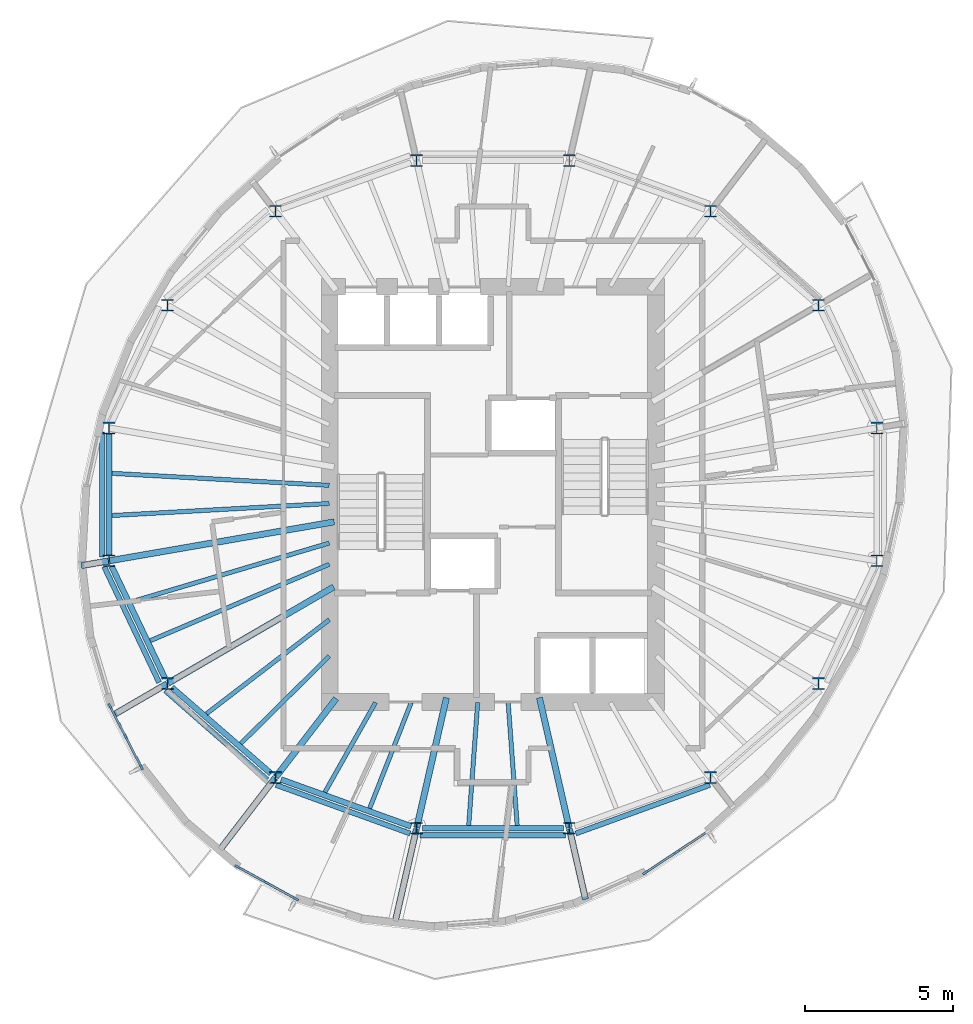
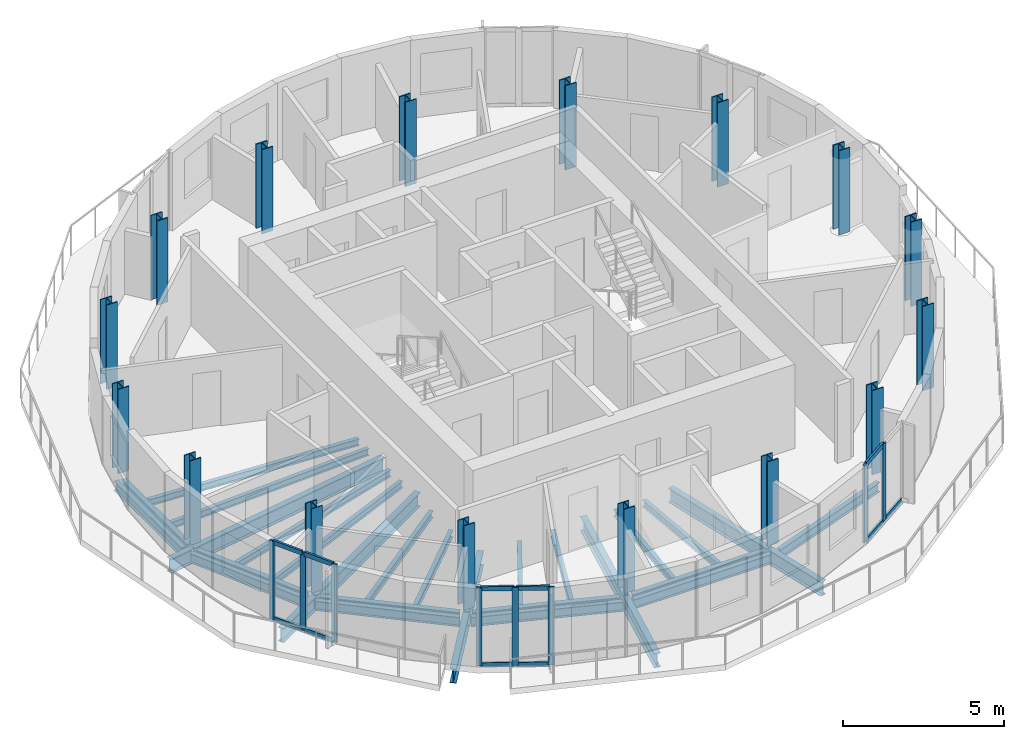
# One storey, part 1 of 11: 31 beams, 19 members, 16 columns, 3 elements without a shape of their own.
"""IFC4 building model written with IfcOpenShell, lengths in metres."""

from ifc_helpers import new_model, si_unit, direction, frame, origin, origin_2d, place, context, subcontext, project, spatial, rectangle, i_section, extrude, material, material_profile, profile_set, type_object, element, aggregate, save


model = new_model("IFC4")

# Units and contexts
model_context = context("Model", 3, precision=1e-05, world=origin(), true_north=direction((0.0, 1.0)))
body_context = subcontext(model_context, "Body", "Model", "MODEL_VIEW")
ifc_project = project(units=[si_unit("LENGTHUNIT", "METRE"), si_unit("AREAUNIT", "SQUARE_METRE"), si_unit("VOLUMEUNIT", "CUBIC_METRE"), si_unit("PLANEANGLEUNIT", "RADIAN"), si_unit("MASSUNIT", "GRAM", prefix="KILO")], contexts=[model_context])

# Site, building, storey
site_placement = place(None, origin())
site = spatial("IfcSite", under=ifc_project, at=site_placement, CompositionType="ELEMENT")
building_placement = place(site_placement, origin())
building = spatial("IfcBuilding", under=site, at=building_placement, Name="Veldorim Arch Residences", CompositionType="ELEMENT")
storey_placement = place(building_placement, frame((0.0, 0.0, 227.0400390625)))
storey = spatial("IfcBuildingStorey", under=building, at=storey_placement, Name="L68", CompositionType="ELEMENT", Elevation=227.0400390625)

# Columns
ifc_material_1 = material(Name="Steel S460", Category="steel")
ifc_material_profile_1 = material_profile(ifc_material_1, i_section(OverallWidth=0.39892578125, OverallDepth=0.3935546875, WebThickness=0.022705078125, FlangeThickness=0.03662109375, at=origin_2d()), Name="UC356x406x287")
ifc_profile_set_1 = profile_set([ifc_material_profile_1], Name="Steel S460")
column_type = type_object("IfcColumnType", Name="Structural Column UC356x406x287", PredefinedType="COLUMN", material=ifc_profile_set_1)
for number, where, z_axis, x_axis, name in (
    (1, (44.9462890625, 26.239501953125, 0.0), (0.0, 0.0, 1.0), (1.0, 0.0, 0.0), "L68 TC-Z4-01 perimeter column"),
    (2, (42.975341796875, 30.3779296875, 0.0), (0.0, 0.0, 1.0), (1.0, 0.0, 0.0), "L68 TC-Z4-02 perimeter column"),
    (3, (39.33349609375, 33.54541015625, 0.0), (0.0, 0.0, 1.0), (1.0, 0.0, 0.0), "L68 TC-Z4-03 perimeter column"),
    (4, (34.5751953125, 35.259521484375, 0.0), (0.0, 0.0, 1.0), (1.0, 0.0, 0.0), "L68 TC-Z4-04 perimeter column"),
    (5, (29.4248046875, 35.259521484375, 0.0), (0.0, 0.0, 1.0), (1.0, 0.0, 0.0), "L68 TC-Z4-05 perimeter column"),
    (6, (24.66650390625, 33.54541015625, 0.0), (0.0, 0.0, 1.0), (1.0, 0.0, 0.0), "L68 TC-Z4-06 perimeter column"),
    (7, (21.024658203125, 30.3779296875, 0.0), (0.0, 0.0, 1.0), (1.0, 0.0, 0.0), "L68 TC-Z4-07 perimeter column"),
    (8, (19.0537109375, 26.239501953125, 0.0), (0.0, 0.0, 1.0), (1.0, 0.0, 0.0), "L68 TC-Z4-08 perimeter column"),
    (9, (19.0537109375, 21.760498046875, 0.0), (0.0, 0.0, 1.0), (1.0, 0.0, 0.0), "L68 TC-Z4-09 perimeter column"),
    (10, (21.024658203125, 17.6220703125, 0.0), (0.0, 0.0, 1.0), (1.0, 0.0, 0.0), "L68 TC-Z4-10 perimeter column"),
    (11, (24.66650390625, 14.45458984375, 0.0), (0.0, 0.0, 1.0), (1.0, 0.0, 0.0), "L68 TC-Z4-11 perimeter column"),
    (12, (29.4248046875, 12.740478515625, 0.0), (0.0, 0.0, 1.0), (1.0, 0.0, 0.0), "L68 TC-Z4-12 perimeter column"),
    (13, (34.5751953125, 12.740478515625, 0.0), (0.0, 0.0, 1.0), (1.0, 0.0, 0.0), "L68 TC-Z4-13 perimeter column"),
    (14, (39.33349609375, 14.45458984375, 0.0), (0.0, 0.0, 1.0), (1.0, 0.0, 0.0), "L68 TC-Z4-14 perimeter column"),
    (15, (42.975341796875, 17.6220703125, 0.0), (0.0, 0.0, 1.0), (1.0, 0.0, 0.0), "L68 TC-Z4-15 perimeter column"),
    (16, (44.9462890625, 21.760498046875, 0.0), (0.0, 0.0, 1.0), (1.0, 0.0, 0.0), "L68 TC-Z4-16 perimeter column"),
):
    element("IfcColumn", number, at=place(storey_placement, frame(where, z_axis=z_axis, x_axis=x_axis)), inside=storey, type_object=column_type, Name=name, PredefinedType="COLUMN", context=body_context, shape_type="SweptSolid", body=[
        extrude(i_section(OverallWidth=0.39892578125, OverallDepth=0.3935546875, WebThickness=0.022705078125, FlangeThickness=0.03662109375, at=origin_2d()), origin(), (0.0, 0.0, 1.0), 3.199951171875),
    ])

# Beams
ifc_material_2 = material(Name="Steel S355", Category="steel")
ifc_material_profile_2 = material_profile(ifc_material_2, i_section(OverallWidth=0.2119140625, OverallDepth=0.54443359375, WebThickness=0.0126953125, FlangeThickness=0.021240234375, at=origin_2d()), Name="UB533x210x122")
ifc_profile_set_2 = profile_set([ifc_material_profile_2], Name="Steel S355")
beam_type_1 = type_object("IfcBeamType", Name="Structural Steel Beam UB533x210x122", PredefinedType="BEAM", material=ifc_profile_set_2)
beam_1_placement = place(storey_placement, frame((26.647705078125, 23.07421875, -0.512451171875), z_axis=(-0.985364974081, -0.170457818401, 0.0), x_axis=(0.170457818401, -0.985364974081, 0.0)))
element("IfcBeam", 17, at=beam_1_placement, inside=storey, type_object=beam_type_1, Name="L68 radial floor girder 09", PredefinedType="BEAM", context=body_context, shape_type="SweptSolid", body=[
    extrude(i_section(OverallWidth=0.2119140625, OverallDepth=0.54443359375, WebThickness=0.0126953125, FlangeThickness=0.021240234375, at=origin_2d()), origin(), (0.0, 0.0, 1.0), 7.68701171875),
])
beam_2_placement = place(storey_placement, frame((19.033935546875, 21.757080078125, -0.512451171875), z_axis=(-0.985342848414, -0.170585670791, 0.0), x_axis=(0.170585670791, -0.985342848414, 0.0)))
element("IfcBeam", 18, at=beam_2_placement, inside=storey, type_object=beam_type_1, Name="L68 radial edge cantilever girder 09", PredefinedType="BEAM", context=body_context, shape_type="SweptSolid", body=[
    extrude(i_section(OverallWidth=0.2119140625, OverallDepth=0.54443359375, WebThickness=0.0126953125, FlangeThickness=0.021240234375, at=origin_2d()), origin(), (0.0, 0.0, 1.0), 0.927490234375),
])
beam_3_placement = place(storey_placement, frame((26.629638671875, 20.87939453125, -0.512451171875), z_axis=(-0.864595736304, -0.502468121142, 0.0), x_axis=(0.502468121142, -0.864595736304, 0.0)))
element("IfcBeam", 19, at=beam_3_placement, inside=storey, type_object=beam_type_1, Name="L68 radial floor girder 10", PredefinedType="BEAM", context=body_context, shape_type="SweptSolid", body=[
    extrude(i_section(OverallWidth=0.2119140625, OverallDepth=0.54443359375, WebThickness=0.0126953125, FlangeThickness=0.021240234375, at=origin_2d()), origin(), (0.0, 0.0, 1.0), 6.462646484375),
])
beam_4_placement = place(storey_placement, frame((21.00732421875, 17.612060546875, -0.512451171875), z_axis=(-0.864613318974, -0.502437865465, 0.0), x_axis=(0.502437865465, -0.864613318974, 0.0)))
element("IfcBeam", 20, at=beam_4_placement, inside=storey, type_object=beam_type_1, Name="L68 radial edge cantilever girder 10", PredefinedType="BEAM", context=body_context, shape_type="SweptSolid", body=[
    extrude(i_section(OverallWidth=0.2119140625, OverallDepth=0.54443359375, WebThickness=0.0126953125, FlangeThickness=0.021240234375, at=origin_2d()), origin(), (0.0, 0.0, 1.0), 2.045166015625),
])
beam_5_placement = place(storey_placement, frame((26.71337890625, 17.118896484375, -0.512451171875), z_axis=(-0.609258442308, -0.792971721108, 0.0), x_axis=(0.792971721108, -0.609258442308, 0.0)))
element("IfcBeam", 21, at=beam_5_placement, inside=storey, type_object=beam_type_1, Name="L68 radial floor girder 11", PredefinedType="BEAM", context=body_context, shape_type="SweptSolid", body=[
    extrude(i_section(OverallWidth=0.2119140625, OverallDepth=0.54443359375, WebThickness=0.0126953125, FlangeThickness=0.021240234375, at=origin_2d()), origin(), (0.0, 0.0, 1.0), 3.339599609375),
])
beam_6_placement = place(storey_placement, frame((24.654296875, 14.438720703125, -0.512451171875), z_axis=(-0.609235463965, -0.792989375369, 0.0), x_axis=(0.792989375369, -0.609235463965, 0.0)))
element("IfcBeam", 22, at=beam_6_placement, inside=storey, type_object=beam_type_1, Name="L68 radial edge cantilever girder 11", PredefinedType="BEAM", context=body_context, shape_type="SweptSolid", body=[
    extrude(i_section(OverallWidth=0.2119140625, OverallDepth=0.54443359375, WebThickness=0.0126953125, FlangeThickness=0.021240234375, at=origin_2d()), origin(), (0.0, 0.0, 1.0), 3.103759765625),
])
beam_7_placement = place(storey_placement, frame((30.432373046875, 17.146240234375, -0.512451171875), z_axis=(-0.222952976993, -0.97482920045, 0.0), x_axis=(0.97482920045, -0.222952976993, 0.0)))
element("IfcBeam", 23, at=beam_7_placement, inside=storey, type_object=beam_type_1, Name="L68 radial floor girder 12", PredefinedType="BEAM", context=body_context, shape_type="SweptSolid", body=[
    extrude(i_section(OverallWidth=0.2119140625, OverallDepth=0.54443359375, WebThickness=0.0126953125, FlangeThickness=0.021240234375, at=origin_2d()), origin(), (0.0, 0.0, 1.0), 4.49951171875),
])
beam_8_placement = place(storey_placement, frame((29.42041015625, 12.72119140625, -0.512451171875), z_axis=(-0.223019615736, -0.97481395712, 0.0), x_axis=(0.97481395712, -0.223019615736, 0.0)))
element("IfcBeam", 24, at=beam_8_placement, inside=storey, type_object=beam_type_1, Name="L68 radial edge cantilever girder 12", PredefinedType="BEAM", context=body_context, shape_type="SweptSolid", body=[
    extrude(i_section(OverallWidth=0.2119140625, OverallDepth=0.54443359375, WebThickness=0.0126953125, FlangeThickness=0.021240234375, at=origin_2d()), origin(), (0.0, 0.0, 1.0), 3.2666015625),
])
beam_9_placement = place(storey_placement, frame((33.567626953125, 17.146240234375, -0.512451171875), z_axis=(0.222952976993, -0.97482920045, 0.0), x_axis=(0.97482920045, 0.222952976993, 0.0)))
element("IfcBeam", 25, at=beam_9_placement, inside=storey, type_object=beam_type_1, Name="L68 radial floor girder 13", PredefinedType="BEAM", context=body_context, shape_type="SweptSolid", body=[
    extrude(i_section(OverallWidth=0.2119140625, OverallDepth=0.54443359375, WebThickness=0.0126953125, FlangeThickness=0.021240234375, at=origin_2d()), origin(), (0.0, 0.0, 1.0), 4.49951171875),
])
beam_10_placement = place(storey_placement, frame((34.57958984375, 12.72119140625, -0.512451171875), z_axis=(0.222985349642, -0.974821795943, 0.0), x_axis=(0.974821795943, 0.222985349642, 0.0)))
element("IfcBeam", 26, at=beam_10_placement, inside=storey, type_object=beam_type_1, Name="L68 radial edge cantilever girder 13", PredefinedType="BEAM", context=body_context, shape_type="SweptSolid", body=[
    extrude(i_section(OverallWidth=0.2119140625, OverallDepth=0.54443359375, WebThickness=0.0126953125, FlangeThickness=0.021240234375, at=origin_2d()), origin(), (0.0, 0.0, 1.0), 2.43603515625),
])
ifc_material_3 = material(Name="Steel S355", Category="steel")
ifc_material_profile_3 = material_profile(ifc_material_3, i_section(OverallWidth=0.146484375, OverallDepth=0.256103515625, WebThickness=0.00634765625, FlangeThickness=0.010986328125, at=origin_2d()), Name="UB254x146x37")
ifc_profile_set_3 = profile_set([ifc_material_profile_3], Name="Steel S355")
beam_type_2 = type_object("IfcBeamType", Name="Structural Steel Joist UB254x146x37", PredefinedType="JOIST", material=ifc_profile_set_3)
for number, where, z_axis, x_axis, name in (
    (27, (26.47998046875, 24.3056640625, -0.367919921875), (-0.998472000884, 0.055259962464, 0.0), (-0.055259962464, -0.998472000884, 0.0), "L68 secondary radial floor joist 08-1"),
    (28, (26.47998046875, 23.6943359375, -0.367919921875), (-0.998472000884, -0.055259962464, 0.0), (0.055259962464, -0.998472000884, 0.0), "L68 secondary radial floor joist 08-2"),
):
    element("IfcBeam", number, at=place(storey_placement, frame(where, z_axis=z_axis, x_axis=x_axis)), inside=storey, type_object=beam_type_2, Name=name, PredefinedType="JOIST", context=body_context, shape_type="SweptSolid", body=[
        extrude(i_section(OverallWidth=0.146484375, OverallDepth=0.256103515625, WebThickness=0.00634765625, FlangeThickness=0.010986328125, at=origin_2d()), origin(), (0.0, 0.0, 1.0), 7.33837890625),
    ])
beam_11_placement = place(storey_placement, frame((26.480712890625, 22.360595703125, -0.367919921875), z_axis=(-0.958594432792, -0.284774846889, 0.0), x_axis=(0.284774846889, -0.958594432792, 0.0)))
element("IfcBeam", 29, at=beam_11_placement, inside=storey, type_object=beam_type_2, Name="L68 secondary radial floor joist 09-1", PredefinedType="JOIST", context=body_context, shape_type="SweptSolid", body=[
    extrude(i_section(OverallWidth=0.146484375, OverallDepth=0.256103515625, WebThickness=0.00634765625, FlangeThickness=0.010986328125, at=origin_2d()), origin(), (0.0, 0.0, 1.0), 6.949462890625),
])
beam_12_placement = place(storey_placement, frame((26.481689453125, 21.644287109375, -0.367919921875), z_axis=(-0.919725161652, -0.392562895629, 0.0), x_axis=(0.392562895629, -0.919725161652, 0.0)))
element("IfcBeam", 30, at=beam_12_placement, inside=storey, type_object=beam_type_2, Name="L68 secondary radial floor joist 09-2", PredefinedType="JOIST", context=body_context, shape_type="SweptSolid", body=[
    extrude(i_section(OverallWidth=0.146484375, OverallDepth=0.256103515625, WebThickness=0.00634765625, FlangeThickness=0.010986328125, at=origin_2d()), origin(), (0.0, 0.0, 1.0), 6.5625),
])
beam_13_placement = place(storey_placement, frame((26.484130859375, 19.777099609375, -0.367919921875), z_axis=(-0.794013672216, -0.607899899929, 0.0), x_axis=(0.607899899929, -0.794013672216, 0.0)))
element("IfcBeam", 31, at=beam_13_placement, inside=storey, type_object=beam_type_2, Name="L68 secondary radial floor joist 10-1", PredefinedType="JOIST", context=body_context, shape_type="SweptSolid", body=[
    extrude(i_section(OverallWidth=0.146484375, OverallDepth=0.256103515625, WebThickness=0.00634765625, FlangeThickness=0.010986328125, at=origin_2d()), origin(), (0.0, 0.0, 1.0), 5.217041015625),
])
beam_14_placement = place(storey_placement, frame((26.48583984375, 18.55224609375, -0.367919921875), z_axis=(-0.711396725432, -0.702790650937, 0.0), x_axis=(0.702790650937, -0.711396725432, 0.0)))
element("IfcBeam", 32, at=beam_14_placement, inside=storey, type_object=beam_type_2, Name="L68 secondary radial floor joist 10-2", PredefinedType="JOIST", context=body_context, shape_type="SweptSolid", body=[
    extrude(i_section(OverallWidth=0.146484375, OverallDepth=0.256103515625, WebThickness=0.00634765625, FlangeThickness=0.010986328125, at=origin_2d()), origin(), (0.0, 0.0, 1.0), 4.198486328125),
])
beam_15_placement = place(storey_placement, frame((28.039794921875, 16.982666015625, -0.367919921875), z_axis=(-0.491452469585, -0.870904397818, 0.0), x_axis=(0.870904397818, -0.491452469585, 0.0)))
element("IfcBeam", 33, at=beam_15_placement, inside=storey, type_object=beam_type_2, Name="L68 secondary radial floor joist 11-1", PredefinedType="JOIST", context=body_context, shape_type="SweptSolid", body=[
    extrude(i_section(OverallWidth=0.146484375, OverallDepth=0.256103515625, WebThickness=0.00634765625, FlangeThickness=0.010986328125, at=origin_2d()), origin(), (0.0, 0.0, 1.0), 3.472412109375),
])
beam_16_placement = place(storey_placement, frame((29.24365234375, 16.9814453125, -0.367919921875), z_axis=(-0.365581383042, -0.930779379001, 0.0), x_axis=(0.930779379001, -0.365581383042, 0.0)))
element("IfcBeam", 34, at=beam_16_placement, inside=storey, type_object=beam_type_2, Name="L68 secondary radial floor joist 11-2", PredefinedType="JOIST", context=body_context, shape_type="SweptSolid", body=[
    extrude(i_section(OverallWidth=0.146484375, OverallDepth=0.256103515625, WebThickness=0.00634765625, FlangeThickness=0.010986328125, at=origin_2d()), origin(), (0.0, 0.0, 1.0), 3.83056640625),
])
for number, where, z_axis, x_axis, name in (
    (35, (31.486083984375, 16.97998046875, -0.367919921875), (-0.072985625899, -0.997332992742, 0.0), (0.997332992742, -0.072985625899, 0.0), "L68 secondary radial floor joist 12-1"),
    (36, (32.513916015625, 16.97998046875, -0.367919921875), (0.072985625899, -0.997332992742, 0.0), (0.997332992742, 0.072985625899, 0.0), "L68 secondary radial floor joist 12-2"),
):
    element("IfcBeam", number, at=place(storey_placement, frame(where, z_axis=z_axis, x_axis=x_axis)), inside=storey, type_object=beam_type_2, Name=name, PredefinedType="JOIST", context=body_context, shape_type="SweptSolid", body=[
        extrude(i_section(OverallWidth=0.146484375, OverallDepth=0.256103515625, WebThickness=0.00634765625, FlangeThickness=0.010986328125, at=origin_2d()), origin(), (0.0, 0.0, 1.0), 4.151123046875),
    ])
ifc_material_4 = material(Name="Steel S355", Category="steel")
ifc_material_profile_4 = material_profile(ifc_material_4, i_section(OverallWidth=0.172119140625, OverallDepth=0.35791015625, WebThickness=0.008056640625, FlangeThickness=0.012939453125, at=origin_2d()), Name="UB356x171x57")
ifc_profile_set_4 = profile_set([ifc_material_profile_4], Name="Steel S355")
beam_type_3 = type_object("IfcBeamType", Name="Structural Steel Spandrel UB356x171x57", PredefinedType="SPANDREL", material=ifc_profile_set_4)
beam_17_placement = place(storey_placement, frame((18.817138671875, 26.10498046875, -0.43896484375), z_axis=(0.0, -1.0, 0.0), x_axis=(1.0, 0.0, 0.0)))
element("IfcBeam", 37, at=beam_17_placement, inside=storey, type_object=beam_type_3, Name="L68 perimeter chord spandrel beam 08", PredefinedType="SPANDREL", context=body_context, shape_type="SweptSolid", body=[
    extrude(i_section(OverallWidth=0.172119140625, OverallDepth=0.35791015625, WebThickness=0.008056640625, FlangeThickness=0.012939453125, at=origin_2d()), origin(), (0.0, 0.0, 1.0), 4.2099609375),
])
beam_18_placement = place(storey_placement, frame((18.892333984375, 21.560791015625, -0.43896484375), z_axis=(0.428453398876, -0.903563879862, 0.0), x_axis=(0.903563879862, 0.428453398876, 0.0)))
element("IfcBeam", 38, at=beam_18_placement, inside=storey, type_object=beam_type_3, Name="L68 perimeter chord spandrel beam 09", PredefinedType="SPANDREL", context=body_context, shape_type="SweptSolid", body=[
    extrude(i_section(OverallWidth=0.172119140625, OverallDepth=0.35791015625, WebThickness=0.008056640625, FlangeThickness=0.012939453125, at=origin_2d()), origin(), (0.0, 0.0, 1.0), 4.31689453125),
])
beam_19_placement = place(storey_placement, frame((20.94921875, 17.385986328125, -0.43896484375), z_axis=(0.752901089301, -0.658133686821, 0.0), x_axis=(0.658133686821, 0.752901089301, 0.0)))
element("IfcBeam", 39, at=beam_19_placement, inside=storey, type_object=beam_type_3, Name="L68 perimeter chord spandrel beam 10", PredefinedType="SPANDREL", context=body_context, shape_type="SweptSolid", body=[
    extrude(i_section(OverallWidth=0.172119140625, OverallDepth=0.35791015625, WebThickness=0.008056640625, FlangeThickness=0.012939453125, at=origin_2d()), origin(), (0.0, 0.0, 1.0), 4.567626953125),
])
beam_20_placement = place(storey_placement, frame((24.685302734375, 14.20458984375, -0.43896484375), z_axis=(0.940181197783, -0.340674794099, 0.0), x_axis=(0.340674794099, 0.940181197783, 0.0)))
element("IfcBeam", 40, at=beam_20_placement, inside=storey, type_object=beam_type_3, Name="L68 perimeter chord spandrel beam 11", PredefinedType="SPANDREL", context=body_context, shape_type="SweptSolid", body=[
    extrude(i_section(OverallWidth=0.172119140625, OverallDepth=0.35791015625, WebThickness=0.008056640625, FlangeThickness=0.012939453125, at=origin_2d()), origin(), (0.0, 0.0, 1.0), 4.80859375),
])
beam_21_placement = place(storey_placement, frame((29.546875, 12.506591796875, -0.43896484375), z_axis=(1.0, 0.0, 0.0), x_axis=(0.0, 1.0, 0.0)))
element("IfcBeam", 41, at=beam_21_placement, inside=storey, type_object=beam_type_3, Name="L68 perimeter chord spandrel beam 12", PredefinedType="SPANDREL", context=body_context, shape_type="SweptSolid", body=[
    extrude(i_section(OverallWidth=0.172119140625, OverallDepth=0.35791015625, WebThickness=0.008056640625, FlangeThickness=0.012939453125, at=origin_2d()), origin(), (0.0, 0.0, 1.0), 4.90625),
])
beam_22_placement = place(storey_placement, frame((34.793701171875, 12.56640625, -0.43896484375), z_axis=(0.940181197783, 0.340674794099, 0.0), x_axis=(-0.340674794099, 0.940181197783, 0.0)))
element("IfcBeam", 42, at=beam_22_placement, inside=storey, type_object=beam_type_3, Name="L68 perimeter chord spandrel beam 13", PredefinedType="SPANDREL", context=body_context, shape_type="SweptSolid", body=[
    extrude(i_section(OverallWidth=0.172119140625, OverallDepth=0.35791015625, WebThickness=0.008056640625, FlangeThickness=0.012939453125, at=origin_2d()), origin(), (0.0, 0.0, 1.0), 4.80859375),
])
ifc_material_5 = material(Name="Steel S355", Category="steel")
ifc_material_profile_5 = material_profile(ifc_material_5, i_section(OverallWidth=0.19140625, OverallDepth=0.4599609375, WebThickness=0.010009765625, FlangeThickness=0.01611328125, at=origin_2d()), Name="UB457x191x82")
ifc_profile_set_5 = profile_set([ifc_material_profile_5], Name="Steel S355")
beam_type_4 = type_object("IfcBeamType", Name="Structural Steel Spandrel UB457x191x82", PredefinedType="SPANDREL", material=ifc_profile_set_5)
beam_23_placement = place(storey_placement, frame((19.0537109375, 26.0400390625, -0.469970703125), z_axis=(0.0, -1.0, 0.0), x_axis=(1.0, 0.0, 0.0)))
element("IfcBeam", 43, at=beam_23_placement, inside=storey, type_object=beam_type_4, Name="L68 perimeter ring tie beam 08", PredefinedType="SPANDREL", context=body_context, shape_type="SweptSolid", body=[
    extrude(i_section(OverallWidth=0.19140625, OverallDepth=0.4599609375, WebThickness=0.010009765625, FlangeThickness=0.01611328125, at=origin_2d()), origin(), (0.0, 0.0, 1.0), 4.080078125),
])
beam_24_placement = place(storey_placement, frame((19.139404296875, 21.580322265625, -0.469970703125), z_axis=(0.42997887291, -0.902838949564, 0.0), x_axis=(0.902838949564, 0.42997887291, 0.0)))
element("IfcBeam", 44, at=beam_24_placement, inside=storey, type_object=beam_type_4, Name="L68 perimeter ring tie beam 09", PredefinedType="SPANDREL", context=body_context, shape_type="SweptSolid", body=[
    extrude(i_section(OverallWidth=0.19140625, OverallDepth=0.4599609375, WebThickness=0.010009765625, FlangeThickness=0.01611328125, at=origin_2d()), origin(), (0.0, 0.0, 1.0), 4.1845703125),
])
beam_25_placement = place(storey_placement, frame((21.175048828125, 17.4912109375, -0.469970703125), z_axis=(0.754578219063, -0.656210112171, 0.0), x_axis=(0.656210112171, 0.754578219063, 0.0)))
element("IfcBeam", 45, at=beam_25_placement, inside=storey, type_object=beam_type_4, Name="L68 perimeter ring tie beam 10", PredefinedType="SPANDREL", context=body_context, shape_type="SweptSolid", body=[
    extrude(i_section(OverallWidth=0.19140625, OverallDepth=0.4599609375, WebThickness=0.010009765625, FlangeThickness=0.01611328125, at=origin_2d()), origin(), (0.0, 0.0, 1.0), 4.427734375),
])
beam_26_placement = place(storey_placement, frame((24.854248046875, 14.38720703125, -0.469970703125), z_axis=(0.940799194754, -0.338964415757, 0.0), x_axis=(0.338964415757, 0.940799194754, 0.0)))
element("IfcBeam", 46, at=beam_26_placement, inside=storey, type_object=beam_type_4, Name="L68 perimeter ring tie beam 11", PredefinedType="SPANDREL", context=body_context, shape_type="SweptSolid", body=[
    extrude(i_section(OverallWidth=0.19140625, OverallDepth=0.4599609375, WebThickness=0.010009765625, FlangeThickness=0.01611328125, at=origin_2d()), origin(), (0.0, 0.0, 1.0), 4.65869140625),
])
beam_27_placement = place(storey_placement, frame((29.624267578125, 12.740478515625, -0.469970703125), z_axis=(1.0, 0.0, 0.0), x_axis=(0.0, 1.0, 0.0)))
element("IfcBeam", 47, at=beam_27_placement, inside=storey, type_object=beam_type_4, Name="L68 perimeter ring tie beam 12", PredefinedType="SPANDREL", context=body_context, shape_type="SweptSolid", body=[
    extrude(i_section(OverallWidth=0.19140625, OverallDepth=0.4599609375, WebThickness=0.010009765625, FlangeThickness=0.01611328125, at=origin_2d()), origin(), (0.0, 0.0, 1.0), 4.75146484375),
])

# Curtain wall, members
ifc_material_6 = material(Name="Aluminium", Category="aluminium")
curtain_wall_type = type_object("IfcCurtainWallType", Name="Zone 4 High-Altitude Unitised Curtain Wall", PredefinedType="NOTDEFINED", material=ifc_material_6)
curtain_wall_1_placement = place(storey_placement, origin())
curtain_wall_1 = element("IfcCurtainWall", 48, at=curtain_wall_1_placement, inside=storey, type_object=curtain_wall_type, Name="L68 unitised curtain wall bay 16", PredefinedType="NOTDEFINED")
ifc_material_7 = material(Name="Aluminium", Category="aluminium")
ifc_material_profile_6 = material_profile(ifc_material_7, rectangle(XDim=0.074951171875, YDim=0.195068359375, at=origin_2d()), Name="ALU_MUL_75x195")
ifc_profile_set_6 = profile_set([ifc_material_profile_6], Name="Aluminium")
member_type_1 = type_object("IfcMemberType", Name="Zone 4 High-Altitude Unitised Curtain Wall Mullion 75x195", PredefinedType="MULLION", material=ifc_profile_set_6)
member_1_placement = place(storey_placement, frame((20.14453125, 14.80322265625, 0.0), z_axis=(0.0, 0.0, 1.0), x_axis=(-0.889131048935, -0.457652682523, 0.0)))
member_1 = element("IfcMember", 49, at=member_1_placement, type_object=member_type_1, Name="CW-Z4 mullion 1", PredefinedType="MULLION", context=body_context, shape_type="SweptSolid", body=[
    extrude(rectangle(XDim=0.074951171875, YDim=0.195068359375, at=origin_2d()), origin(), (0.0, 0.0, 1.0), 2.9599609375),
])
member_2_placement = place(storey_placement, frame((19.615478515625, 15.83154296875, 0.0), z_axis=(0.0, 0.0, 1.0), x_axis=(-0.889131048935, -0.457652682523, 0.0)))
member_2 = element("IfcMember", 50, at=member_2_placement, type_object=member_type_1, Name="CW-Z4 mullion 2", PredefinedType="MULLION", context=body_context, shape_type="SweptSolid", body=[
    extrude(rectangle(XDim=0.074951171875, YDim=0.195068359375, at=origin_2d()), origin(), (0.0, 0.0, 1.0), 2.9599609375),
])
member_3_placement = place(storey_placement, frame((19.086181640625, 16.859619140625, 0.0), z_axis=(0.0, 0.0, 1.0), x_axis=(-0.889131048935, -0.457652682523, 0.0)))
member_3 = element("IfcMember", 51, at=member_3_placement, type_object=member_type_1, Name="CW-Z4 mullion 3", PredefinedType="MULLION", context=body_context, shape_type="SweptSolid", body=[
    extrude(rectangle(XDim=0.074951171875, YDim=0.195068359375, at=origin_2d()), origin(), (0.0, 0.0, 1.0), 2.9599609375),
])

curtain_wall_2_placement = place(storey_placement, origin())
curtain_wall_2 = element("IfcCurtainWall", 52, at=curtain_wall_2_placement, inside=storey, type_object=curtain_wall_type, Name="L68 unitised curtain wall bay 19", PredefinedType="NOTDEFINED")
member_4_placement = place(storey_placement, frame((25.35693359375, 10.360107421875, 0.0), z_axis=(0.0, 0.0, 1.0), x_axis=(-0.48195342655, -0.876196835555, 0.0)))
member_4 = element("IfcMember", 53, at=member_4_placement, type_object=member_type_1, Name="CW-Z4 mullion 1", PredefinedType="MULLION", context=body_context, shape_type="SweptSolid", body=[
    extrude(rectangle(XDim=0.074951171875, YDim=0.195068359375, at=origin_2d()), origin(), (0.0, 0.0, 1.0), 2.9599609375),
])
member_5_placement = place(storey_placement, frame((24.371337890625, 10.902099609375, 0.0), z_axis=(0.0, 0.0, 1.0), x_axis=(-0.48195342655, -0.876196835555, 0.0)))
member_5 = element("IfcMember", 54, at=member_5_placement, type_object=member_type_1, Name="CW-Z4 mullion 2", PredefinedType="MULLION", context=body_context, shape_type="SweptSolid", body=[
    extrude(rectangle(XDim=0.074951171875, YDim=0.195068359375, at=origin_2d()), origin(), (0.0, 0.0, 1.0), 2.9599609375),
])
member_6_placement = place(storey_placement, frame((23.3857421875, 11.4443359375, 0.0), z_axis=(0.0, 0.0, 1.0), x_axis=(-0.48195342655, -0.876196835555, 0.0)))
member_6 = element("IfcMember", 55, at=member_6_placement, type_object=member_type_1, Name="CW-Z4 mullion 3", PredefinedType="MULLION", context=body_context, shape_type="SweptSolid", body=[
    extrude(rectangle(XDim=0.074951171875, YDim=0.195068359375, at=origin_2d()), origin(), (0.0, 0.0, 1.0), 2.9599609375),
])

curtain_wall_3_placement = place(storey_placement, origin())
curtain_wall_3 = element("IfcCurtainWall", 56, at=curtain_wall_3_placement, inside=storey, type_object=curtain_wall_type, Name="L68 unitised curtain wall bay 25", PredefinedType="NOTDEFINED")
member_7_placement = place(storey_placement, frame((38.195556640625, 11.94140625, 0.0), z_axis=(0.0, 0.0, 1.0), x_axis=(0.550061569233, -0.835124104582, 0.0)))
member_7 = element("IfcMember", 57, at=member_7_placement, type_object=member_type_1, Name="CW-Z4 mullion 2", PredefinedType="MULLION", context=body_context, shape_type="SweptSolid", body=[
    extrude(rectangle(XDim=0.074951171875, YDim=0.195068359375, at=origin_2d()), origin(), (0.0, 0.0, 1.0), 2.9599609375),
])
member_8_placement = place(storey_placement, frame((37.13623046875, 11.243896484375, 0.0), z_axis=(0.0, 0.0, 1.0), x_axis=(0.550061569233, -0.835124104582, 0.0)))
member_8 = element("IfcMember", 58, at=member_8_placement, type_object=member_type_1, Name="CW-Z4 mullion 3", PredefinedType="MULLION", context=body_context, shape_type="SweptSolid", body=[
    extrude(rectangle(XDim=0.074951171875, YDim=0.195068359375, at=origin_2d()), origin(), (0.0, 0.0, 1.0), 2.9599609375),
])

# Member
ifc_material_8 = material(Name="Aluminium", Category="aluminium")
ifc_material_profile_7 = material_profile(ifc_material_8, rectangle(XDim=0.074951171875, YDim=0.1650390625, at=origin_2d()), Name="ALU_TRN_75x165")
ifc_profile_set_7 = profile_set([ifc_material_profile_7], Name="Aluminium")
member_type_2 = type_object("IfcMemberType", Name="Zone 4 High-Altitude Unitised Curtain Wall Transom 75x165", PredefinedType="USERDEFINED", material=ifc_profile_set_7)
member_9_placement = place(storey_placement, frame((20.12744140625, 14.836669921875, 0.037353515625), z_axis=(-0.457659181253, 0.889127703885, 0.0), x_axis=(-0.889127703885, -0.457659181253, 0.0)))
member_9 = element("IfcMember", 59, at=member_9_placement, type_object=member_type_2, Name="CW-Z4 transom 1.1", ObjectType="TRANSOM", PredefinedType="USERDEFINED", context=body_context, shape_type="SweptSolid", body=[
    extrude(rectangle(XDim=0.074951171875, YDim=0.1650390625, at=origin_2d()), origin(), (0.0, 0.0, 1.0), 1.081298828125),
])

member_10_placement = place(storey_placement, frame((20.12744140625, 14.836669921875, 2.92236328125), z_axis=(-0.457659181253, 0.889127703885, 0.0), x_axis=(-0.889127703885, -0.457659181253, 0.0)))
member_10 = element("IfcMember", 60, at=member_10_placement, type_object=member_type_2, Name="CW-Z4 transom 1.2", ObjectType="TRANSOM", PredefinedType="USERDEFINED", context=body_context, shape_type="SweptSolid", body=[
    extrude(rectangle(XDim=0.074951171875, YDim=0.1650390625, at=origin_2d()), origin(), (0.0, 0.0, 1.0), 1.081298828125),
])

member_11_placement = place(storey_placement, frame((19.59814453125, 15.86474609375, 0.037353515625), z_axis=(-0.457567322801, 0.889174980026, 0.0), x_axis=(-0.889174980026, -0.457567322801, 0.0)))
member_11 = element("IfcMember", 61, at=member_11_placement, type_object=member_type_2, Name="CW-Z4 transom 2.1", ObjectType="TRANSOM", PredefinedType="USERDEFINED", context=body_context, shape_type="SweptSolid", body=[
    extrude(rectangle(XDim=0.074951171875, YDim=0.1650390625, at=origin_2d()), origin(), (0.0, 0.0, 1.0), 1.08154296875),
])

member_12_placement = place(storey_placement, frame((19.59814453125, 15.86474609375, 2.92236328125), z_axis=(-0.457567322801, 0.889174980026, 0.0), x_axis=(-0.889174980026, -0.457567322801, 0.0)))
member_12 = element("IfcMember", 62, at=member_12_placement, type_object=member_type_2, Name="CW-Z4 transom 2.2", ObjectType="TRANSOM", PredefinedType="USERDEFINED", context=body_context, shape_type="SweptSolid", body=[
    extrude(rectangle(XDim=0.074951171875, YDim=0.1650390625, at=origin_2d()), origin(), (0.0, 0.0, 1.0), 1.08154296875),
])

aggregate(curtain_wall_1, [member_1, member_2, member_3, member_9, member_10, member_11, member_12])

member_13_placement = place(storey_placement, frame((25.323974609375, 10.378173828125, 0.037353515625), z_axis=(-0.876255185149, 0.481847331112, 0.0), x_axis=(-0.481847331112, -0.876255185149, 0.0)))
member_13 = element("IfcMember", 63, at=member_13_placement, type_object=member_type_2, Name="CW-Z4 transom 1.1", ObjectType="TRANSOM", PredefinedType="USERDEFINED", context=body_context, shape_type="SweptSolid", body=[
    extrude(rectangle(XDim=0.074951171875, YDim=0.1650390625, at=origin_2d()), origin(), (0.0, 0.0, 1.0), 1.0498046875),
])

member_14_placement = place(storey_placement, frame((25.323974609375, 10.378173828125, 2.92236328125), z_axis=(-0.876255185149, 0.481847331112, 0.0), x_axis=(-0.481847331112, -0.876255185149, 0.0)))
member_14 = element("IfcMember", 64, at=member_14_placement, type_object=member_type_2, Name="CW-Z4 transom 1.2", ObjectType="TRANSOM", PredefinedType="USERDEFINED", context=body_context, shape_type="SweptSolid", body=[
    extrude(rectangle(XDim=0.074951171875, YDim=0.1650390625, at=origin_2d()), origin(), (0.0, 0.0, 1.0), 1.0498046875),
])

member_15_placement = place(storey_placement, frame((24.33837890625, 10.920166015625, 0.037353515625), z_axis=(-0.876156989658, 0.482025859756, 0.0), x_axis=(-0.482025859756, -0.876156989658, 0.0)))
member_15 = element("IfcMember", 65, at=member_15_placement, type_object=member_type_2, Name="CW-Z4 transom 2.1", ObjectType="TRANSOM", PredefinedType="USERDEFINED", context=body_context, shape_type="SweptSolid", body=[
    extrude(rectangle(XDim=0.074951171875, YDim=0.1650390625, at=origin_2d()), origin(), (0.0, 0.0, 1.0), 1.050048828125),
])

member_16_placement = place(storey_placement, frame((24.33837890625, 10.920166015625, 2.92236328125), z_axis=(-0.876156989658, 0.482025859756, 0.0), x_axis=(-0.482025859756, -0.876156989658, 0.0)))
member_16 = element("IfcMember", 66, at=member_16_placement, type_object=member_type_2, Name="CW-Z4 transom 2.2", ObjectType="TRANSOM", PredefinedType="USERDEFINED", context=body_context, shape_type="SweptSolid", body=[
    extrude(rectangle(XDim=0.074951171875, YDim=0.1650390625, at=origin_2d()), origin(), (0.0, 0.0, 1.0), 1.050048828125),
])

aggregate(curtain_wall_2, [member_4, member_5, member_6, member_13, member_14, member_15, member_16])

member_17_placement = place(storey_placement, frame((39.223388671875, 12.61865234375, 0.037353515625), z_axis=(-0.835090637281, -0.55011237718, 0.0), x_axis=(0.55011237718, -0.835090637281, 0.0)))
member_17 = element("IfcMember", 67, at=member_17_placement, type_object=member_type_2, Name="CW-Z4 transom 1.1", ObjectType="TRANSOM", PredefinedType="USERDEFINED", context=body_context, shape_type="SweptSolid", body=[
    extrude(rectangle(XDim=0.074951171875, YDim=0.1650390625, at=origin_2d()), origin(), (0.0, 0.0, 1.0), 1.193359375),
])

member_18_placement = place(storey_placement, frame((38.164306640625, 11.9208984375, 0.037353515625), z_axis=(-0.835090637281, -0.55011237718, 0.0), x_axis=(0.55011237718, -0.835090637281, 0.0)))
member_18 = element("IfcMember", 68, at=member_18_placement, type_object=member_type_2, Name="CW-Z4 transom 2.1", ObjectType="TRANSOM", PredefinedType="USERDEFINED", context=body_context, shape_type="SweptSolid", body=[
    extrude(rectangle(XDim=0.074951171875, YDim=0.1650390625, at=origin_2d()), origin(), (0.0, 0.0, 1.0), 1.193359375),
])

member_19_placement = place(storey_placement, frame((38.164306640625, 11.9208984375, 2.92236328125), z_axis=(-0.835090637281, -0.55011237718, 0.0), x_axis=(0.55011237718, -0.835090637281, 0.0)))
member_19 = element("IfcMember", 69, at=member_19_placement, type_object=member_type_2, Name="CW-Z4 transom 2.2", ObjectType="TRANSOM", PredefinedType="USERDEFINED", context=body_context, shape_type="SweptSolid", body=[
    extrude(rectangle(XDim=0.074951171875, YDim=0.1650390625, at=origin_2d()), origin(), (0.0, 0.0, 1.0), 1.193359375),
])

aggregate(curtain_wall_3, [member_7, member_8, member_17, member_18, member_19])

save(model, "model.ifc")
